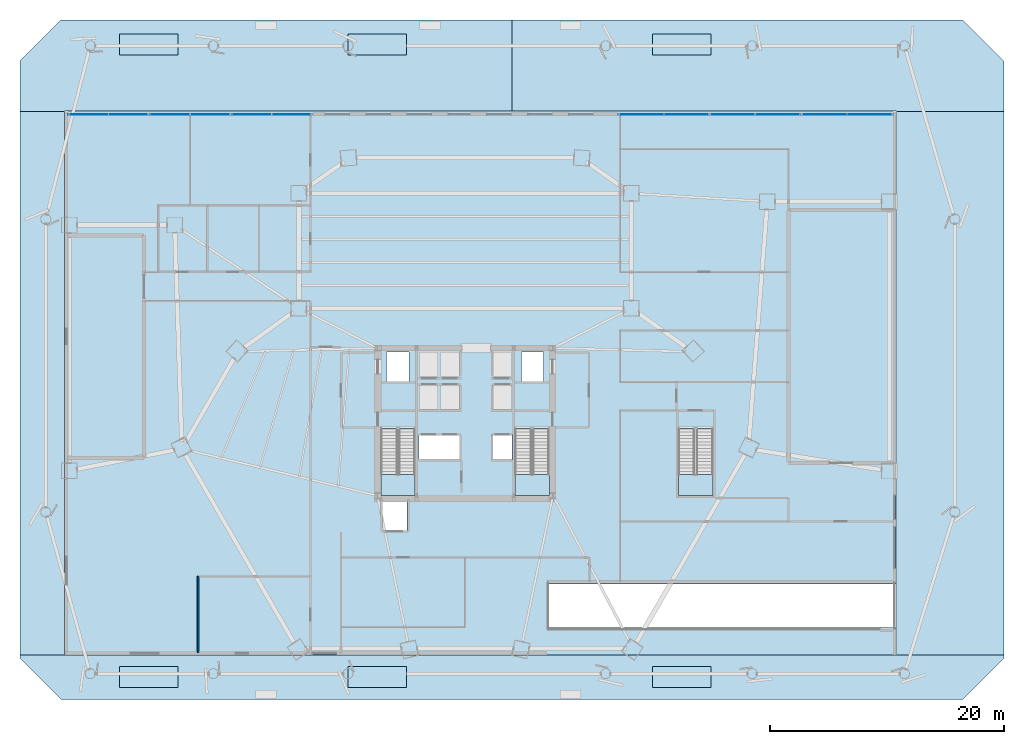
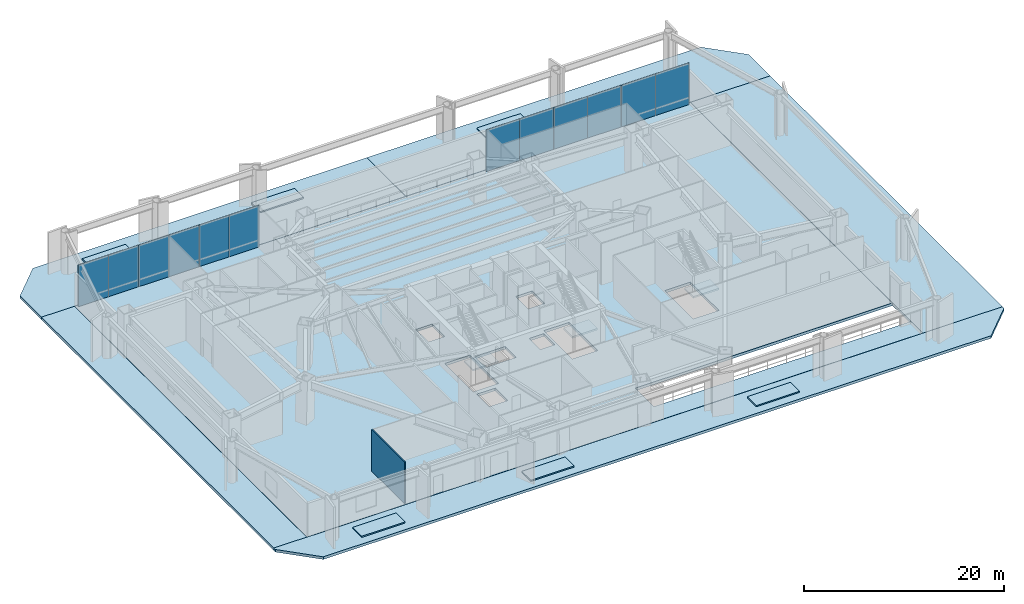
# One storey, part 10 of 19: 15 slabs, 12 plates, 1 wall, 9 elements without a shape of their own.
"""IFC4 building model written with IfcOpenShell, lengths in metres."""

import ifcopenshell
import ifcopenshell.guid

model = None  # the IFC model being written
_history = None  # IfcOwnerHistory: only IFC2X3 demands one
_inside = {}  # id of a spatial element -> (the spatial element, [elements in it])
_under = {}  # id of a project, library or spatial element -> (it, [spatial elements below it])
_declared = {}  # id of a project -> (the project, [libraries it declares])
_typed = {}  # id of a type object -> (the type object, [elements of that type])
_made_of = {}  # id of a material, layer set ... -> (it, [elements and type objects made of it])


def new_model(schema):
    """Start an empty IFC model of exactly this schema.

    Asked for "IFC4X3", IfcOpenShell would pick the latest addendum, in which some entities
    have other attributes; the version numbers below select the first issue.
    IFC2X3 requires an IfcOwnerHistory on every rooted entity: one is made here for all.
    """
    global model, _history
    if schema == "IFC4X3":
        model = ifcopenshell.file(schema_version=(4, 3, 0, 0))
    else:
        model = ifcopenshell.file(schema=schema)
    _inside.clear()
    _under.clear()
    _declared.clear()
    _typed.clear()
    _made_of.clear()
    _history = None
    if model.schema == "IFC2X3":
        org = make("IfcOrganization", Name="unknown")
        user = make(
            "IfcPersonAndOrganization",
            ThePerson=make("IfcPerson", FamilyName="unknown"),
            TheOrganization=org,
        )
        app = make(
            "IfcApplication",
            ApplicationDeveloper=org,
            Version="unknown",
            ApplicationFullName="unknown",
            ApplicationIdentifier="unknown",
        )
        _history = make(
            "IfcOwnerHistory",
            OwningUser=user,
            OwningApplication=app,
            ChangeAction="ADDED",
            CreationDate=0,
        )
    return model


def make(cls, **values):
    """One entity of the class cls with the attributes given. An attribute that is None is left unset."""
    return model.create_entity(
        cls, **{name: value for name, value in values.items() if value is not None}
    )


def rooted(cls, **values):
    """An entity with a GlobalId (a new one), such as an element, a storey or a relation."""
    return make(cls, GlobalId=ifcopenshell.guid.new(), OwnerHistory=_history, **values)


def si_unit(unit_type, name, prefix=None):
    """IfcSIUnit, for example si_unit("LENGTHUNIT", "METRE", prefix="MILLI")."""
    return make("IfcSIUnit", UnitType=unit_type, Prefix=prefix, Name=name)


def assignment(units):
    """IfcUnitAssignment: the units of a project."""
    return None if units is None else make("IfcUnitAssignment", Units=units)


def point(xyz):
    """IfcCartesianPoint."""
    return None if xyz is None else make("IfcCartesianPoint", Coordinates=xyz)


def direction(xyz):
    """IfcDirection."""
    return None if xyz is None else make("IfcDirection", DirectionRatios=xyz)


def frame(location, z_axis=None, x_axis=None):
    """IfcAxis2Placement3D, a coordinate frame: its origin and axes. An axis left out is left unset."""
    return make(
        "IfcAxis2Placement3D",
        Location=point(location),
        Axis=direction(z_axis),
        RefDirection=direction(x_axis),
    )


def frame_2d(location, x_axis=None):
    """IfcAxis2Placement2D, a coordinate frame in the plane: its origin and x axis."""
    return make(
        "IfcAxis2Placement2D", Location=point(location), RefDirection=direction(x_axis)
    )


def origin():
    """The frame at (0, 0, 0) with its axes left unset."""
    return frame((0.0, 0.0, 0.0))


def origin_2d():
    """The frame at (0, 0) in the plane with its x axis left unset."""
    return frame_2d((0.0, 0.0))


def place(relative_to, where):
    """IfcLocalPlacement: puts the frame where relative to a parent placement (None: the world)."""
    return make(
        "IfcLocalPlacement", PlacementRelTo=relative_to, RelativePlacement=where
    )


def context(
    kind, dimensions, precision=None, world=None, true_north=None, identifier=None
):
    """IfcGeometricRepresentationContext, for example the 3D "Model" context."""
    return make(
        "IfcGeometricRepresentationContext",
        ContextIdentifier=identifier,
        ContextType=kind,
        CoordinateSpaceDimension=dimensions,
        Precision=precision,
        WorldCoordinateSystem=world,
        TrueNorth=true_north,
    )


def subcontext(parent, identifier, kind, view, scale=None):
    """IfcGeometricRepresentationSubContext, for example "Body" below "Model"."""
    return make(
        "IfcGeometricRepresentationSubContext",
        ContextIdentifier=identifier,
        ContextType=kind,
        ParentContext=parent,
        TargetScale=scale,
        TargetView=view,
    )


def project(units=None, contexts=None):
    """IfcProject with its units and contexts."""
    return rooted(
        "IfcProject",
        Name="project",
        RepresentationContexts=contexts,
        UnitsInContext=assignment(units),
    )


def spatial(cls, under=None, at=None, **own):
    """A site, building, storey or space (cls), placed at a placement, below another one or the project."""
    s = rooted(cls, ObjectPlacement=at, **own)
    if under is not None:
        _under.setdefault(under.id(), (under, []))[1].append(s)
    return s


def polyline(points):
    """IfcPolyline through the points."""
    return make("IfcPolyline", Points=[point(p) for p in points])


def profile(cls, at=None, kind="AREA", **sizes):
    """A parametric profile (cls). Its sizes go by their IFC names, for example OverallWidth=200.0."""
    return make(cls, ProfileType=kind, Position=at, **sizes)


def rectangle(**sizes):
    """IfcRectangleProfileDef."""
    return profile("IfcRectangleProfileDef", **sizes)


def outline(outer, holes=None, kind="AREA"):
    """IfcArbitraryClosedProfileDef: a profile drawn as a closed curve; with holes, ...WithVoids."""
    if holes is None:
        return make("IfcArbitraryClosedProfileDef", ProfileType=kind, OuterCurve=outer)
    return make(
        "IfcArbitraryProfileDefWithVoids",
        ProfileType=kind,
        OuterCurve=outer,
        InnerCurves=holes,
    )


def extrude(swept, where, along, depth):
    """IfcExtrudedAreaSolid: the profile swept, set in the frame where, extruded along a direction by depth."""
    return make(
        "IfcExtrudedAreaSolid",
        SweptArea=swept,
        Position=where,
        ExtrudedDirection=direction(along),
        Depth=depth,
    )


def shape(context_of_items, identifier, shape_type, items):
    """IfcShapeRepresentation: the items that make up one representation, for example the "Body"."""
    return make(
        "IfcShapeRepresentation",
        ContextOfItems=context_of_items,
        RepresentationIdentifier=identifier,
        RepresentationType=shape_type,
        Items=items,
    )


def source(mapping_origin, context_of_items, identifier, shape_type, items):
    """IfcRepresentationMap: a shape defined once, which mapped items show again and again."""
    return make(
        "IfcRepresentationMap",
        MappingOrigin=mapping_origin,
        MappedRepresentation=shape(context_of_items, identifier, shape_type, items),
    )


def transform(
    local_origin,
    x_axis=None,
    y_axis=None,
    z_axis=None,
    scale=None,
    scale2=None,
    scale3=None,
    uniform=True,
):
    """IfcCartesianTransformationOperator3D, or its non-uniform kind. x_axis, y_axis, z_axis: its Axis1, 2, 3."""
    if uniform:
        return make(
            "IfcCartesianTransformationOperator3D",
            Axis1=direction(x_axis),
            Axis2=direction(y_axis),
            LocalOrigin=point(local_origin),
            Scale=scale,
            Axis3=direction(z_axis),
        )
    return make(
        "IfcCartesianTransformationOperator3DnonUniform",
        Axis1=direction(x_axis),
        Axis2=direction(y_axis),
        LocalOrigin=point(local_origin),
        Scale=scale,
        Axis3=direction(z_axis),
        Scale2=scale2,
        Scale3=scale3,
    )


def mapped(mapping_source, mapping_target):
    """IfcMappedItem: shows the shape of a source again, moved by a transform."""
    return make(
        "IfcMappedItem", MappingSource=mapping_source, MappingTarget=mapping_target
    )


def material(Name=None, Category=None):
    """IfcMaterial."""
    return make("IfcMaterial", Name=Name, Category=Category)


def layer(
    of_material, thickness, ventilated=None, Name=None, Category=None, Priority=None
):
    """IfcMaterialLayer: one layer of a wall or slab, of a material (None: an air gap)."""
    return make(
        "IfcMaterialLayer",
        Material=of_material,
        LayerThickness=thickness,
        IsVentilated=ventilated,
        Name=Name,
        Category=Category,
        Priority=Priority,
    )


def layer_set(layers, Name=None):
    """IfcMaterialLayerSet."""
    return make("IfcMaterialLayerSet", MaterialLayers=layers, LayerSetName=Name)


def made_of(thing, what):
    """Note that an element or type object is made of a material, layer set ...; save() writes the relation."""
    if what is not None:
        _made_of.setdefault(what.id(), (what, []))[1].append(thing)
    return thing


def type_object(cls, material=None, **own):
    """A type object (cls), such as IfcWallType, which elements share."""
    return made_of(rooted(cls, **own), material)


def type_shapes(of_type, sources):
    """Give a type object the sources (RepresentationMaps) that its elements show as mapped items."""
    of_type.RepresentationMaps = sources


def element(
    cls,
    number,
    at=None,
    inside=None,
    cuts=None,
    type_object=None,
    material=None,
    context=None,
    identifier="Body",
    shape_type=None,
    held_by="IfcProductDefinitionShape",
    body=None,
    shapes=None,
    **own,
):
    """One element of the class cls, such as IfcWall. Its Tag is "e" and its number.

    at: its placement. inside: the storey or other place that contains it. cuts: it is an
    opening in that element (IfcRelVoidsElement). A single representation is given by context,
    identifier, shape_type and body (its items); several are given by shapes. held_by: the class
    of the entity that holds the representations. save() writes the other relations.
    """
    e = rooted(cls, Tag="e%d" % number, ObjectPlacement=at, **own)
    if body is not None:
        shapes = [shape(context, identifier, shape_type, body)]
    if shapes is not None:
        e.Representation = make(held_by, Representations=shapes)
    if inside is not None:
        _inside.setdefault(inside.id(), (inside, []))[1].append(e)
    if cuts is not None:
        rooted(
            "IfcRelVoidsElement", RelatingBuildingElement=cuts, RelatedOpeningElement=e
        )
    if type_object is not None:
        _typed.setdefault(type_object.id(), (type_object, []))[1].append(e)
    return made_of(e, material)


def aggregate(whole, parts):
    """IfcRelAggregates: a whole, such as a stair, and the parts it consists of."""
    return rooted("IfcRelAggregates", RelatingObject=whole, RelatedObjects=parts)


def save(model, path):
    """Write the relations noted so far, then the file.

    IfcRelAggregates (storeys below a building ...), IfcRelContainedInSpatialStructure (elements
    in a storey), IfcRelDefinesByType, IfcRelAssociatesMaterial and IfcRelDeclares: one each for
    every whole, place, type object, material and project.
    """
    for whole, parts in _under.values():
        aggregate(whole, parts)
    for where, things in _inside.values():
        rooted(
            "IfcRelContainedInSpatialStructure",
            RelatedElements=things,
            RelatingStructure=where,
        )
    for kind, things in _typed.values():
        rooted("IfcRelDefinesByType", RelatedObjects=things, RelatingType=kind)
    for what, things in _made_of.values():
        rooted("IfcRelAssociatesMaterial", RelatedObjects=things, RelatingMaterial=what)
    for by, libraries in _declared.values():
        rooted("IfcRelDeclares", RelatingContext=by, RelatedDefinitions=libraries)
    model.write(path)


model = new_model("IFC4")

# Units and contexts
model_context = context("Model", 3, precision=1e-05, world=origin(), true_north=direction((0.0, 1.0)))
body_context = subcontext(model_context, "Body", "Model", "MODEL_VIEW")
ifc_project = project(units=[si_unit("LENGTHUNIT", "METRE"), si_unit("AREAUNIT", "SQUARE_METRE"), si_unit("VOLUMEUNIT", "CUBIC_METRE"), si_unit("PLANEANGLEUNIT", "RADIAN"), si_unit("MASSUNIT", "GRAM", prefix="KILO")], contexts=[model_context])

# Site, building, storey
site_placement = place(None, origin())
site = spatial("IfcSite", under=ifc_project, at=site_placement, CompositionType="ELEMENT")
building_placement = place(site_placement, origin())
building = spatial("IfcBuilding", under=site, at=building_placement, Name="Caelisora Broadcast Tower", CompositionType="ELEMENT")
storey_placement = place(building_placement, origin())
storey = spatial("IfcBuildingStorey", under=building, at=storey_placement, Name="L00", CompositionType="ELEMENT", Elevation=0.0)

# Slabs
ifc_material_1 = material(Name="Concrete 32 MPa (AS 3600 N32)", Category="concrete")
ifc_layer_1 = layer(ifc_material_1, 0.14990234375, Name="Concrete 32 MPa (AS 3600 N32)")
ifc_layer_set_1 = layer_set([ifc_layer_1], Name="Concrete 32 MPa (AS 3600 N32)")
slab_type_1 = type_object("IfcSlabType", Name="PN01", PredefinedType="USERDEFINED", material=ifc_layer_set_1)
slab_1_placement = place(storey_placement, origin())
element("IfcSlab", 1, at=slab_1_placement, inside=storey, type_object=slab_type_1, Name="L00 planted forecourt slab PN01", ObjectType="PLANTER", PredefinedType="USERDEFINED", context=body_context, shape_type="SweptSolid", body=[
    extrude(outline(polyline([(8.5, 1.0), (13.5, 1.0), (13.5, 2.800048828125), (8.5, 2.800048828125), (8.5, 1.0)])), origin(), (0.0, 0.0, 1.0), 0.14990234375),
])
slab_2_placement = place(storey_placement, origin())
element("IfcSlab", 2, at=slab_2_placement, inside=storey, type_object=slab_type_1, Name="L00 planted forecourt slab PN01", ObjectType="PLANTER", PredefinedType="USERDEFINED", context=body_context, shape_type="SweptSolid", body=[
    extrude(outline(polyline([(28.0, 1.0), (33.0, 1.0), (33.0, 2.800048828125), (28.0, 2.800048828125), (28.0, 1.0)])), origin(), (0.0, 0.0, 1.0), 0.14990234375),
])
slab_3_placement = place(storey_placement, origin())
element("IfcSlab", 3, at=slab_3_placement, inside=storey, type_object=slab_type_1, Name="L00 planted forecourt slab PN01", ObjectType="PLANTER", PredefinedType="USERDEFINED", context=body_context, shape_type="SweptSolid", body=[
    extrude(outline(polyline([(54.0, 1.0), (59.0, 1.0), (59.0, 2.800048828125), (54.0, 2.800048828125), (54.0, 1.0)])), origin(), (0.0, 0.0, 1.0), 0.14990234375),
])
slab_4_placement = place(storey_placement, origin())
element("IfcSlab", 4, at=slab_4_placement, inside=storey, type_object=slab_type_1, Name="L00 planted forecourt slab PN01", ObjectType="PLANTER", PredefinedType="USERDEFINED", context=body_context, shape_type="SweptSolid", body=[
    extrude(outline(polyline([(8.5, 55.0), (13.5, 55.0), (13.5, 56.800048828125), (8.5, 56.800048828125), (8.5, 55.0)])), origin(), (0.0, 0.0, 1.0), 0.14990234375),
])
slab_5_placement = place(storey_placement, origin())
element("IfcSlab", 5, at=slab_5_placement, inside=storey, type_object=slab_type_1, Name="L00 planted forecourt slab PN01", ObjectType="PLANTER", PredefinedType="USERDEFINED", context=body_context, shape_type="SweptSolid", body=[
    extrude(outline(polyline([(28.0, 55.0), (33.0, 55.0), (33.0, 56.800048828125), (28.0, 56.800048828125), (28.0, 55.0)])), origin(), (0.0, 0.0, 1.0), 0.14990234375),
])
slab_6_placement = place(storey_placement, origin())
element("IfcSlab", 6, at=slab_6_placement, inside=storey, type_object=slab_type_1, Name="L00 planted forecourt slab PN01", ObjectType="PLANTER", PredefinedType="USERDEFINED", context=body_context, shape_type="SweptSolid", body=[
    extrude(outline(polyline([(54.0, 55.0), (59.0, 55.0), (59.0, 56.800048828125), (54.0, 56.800048828125), (54.0, 55.0)])), origin(), (0.0, 0.0, 1.0), 0.14990234375),
])
ifc_material_2 = material(Name="Concrete 40 MPa (AS 3600 N40)", Category="concrete")
ifc_layer_2 = layer(ifc_material_2, 0.320068359375, Name="Concrete 40 MPa (AS 3600 N40)")
ifc_layer_set_2 = layer_set([ifc_layer_2], Name="Concrete 40 MPa (AS 3600 N40)")
slab_type_2 = type_object("IfcSlabType", Name="PV01", PredefinedType="USERDEFINED", material=ifc_layer_set_2)
slab_7_placement = place(storey_placement, frame((0.0, 0.0, -0.320068359375)))
element("IfcSlab", 7, at=slab_7_placement, inside=storey, type_object=slab_type_2, Name="L00 forecourt paving slab PV01", ObjectType="PAVING", PredefinedType="USERDEFINED", context=body_context, shape_type="SweptSolid", body=[
    extrude(outline(polyline([(3.5, 58.0), (42.0, 58.0), (42.0, 50.219970703125), (3.780029296875, 50.219970703125), (3.780029296875, 50.199951171875), (0.0, 50.199951171875), (0.0, 54.5), (3.5, 58.0)])), origin(), (0.0, 0.0, 1.0), 0.320068359375),
])
slab_8_placement = place(storey_placement, frame((0.0, 0.0, -0.320068359375)))
element("IfcSlab", 8, at=slab_8_placement, inside=storey, type_object=slab_type_2, Name="L00 forecourt paving slab PV01", ObjectType="PAVING", PredefinedType="USERDEFINED", context=body_context, shape_type="SweptSolid", body=[
    extrude(outline(polyline([(80.5, 58.0), (84.0, 54.5), (84.0, 50.199951171875), (74.820068359375, 50.199951171875), (74.820068359375, 50.219970703125), (42.02001953125, 50.219970703125), (42.02001953125, 58.0), (80.5, 58.0)])), origin(), (0.0, 0.0, 1.0), 0.320068359375),
])
slab_9_placement = place(storey_placement, frame((0.0, 0.0, -0.320068359375)))
element("IfcSlab", 9, at=slab_9_placement, inside=storey, type_object=slab_type_2, Name="L00 forecourt paving slab PV01", ObjectType="PAVING", PredefinedType="USERDEFINED", context=body_context, shape_type="SweptSolid", body=[
    extrude(outline(polyline([(0.0, 50.199951171875), (3.780029296875, 50.199951171875), (3.780029296875, 3.800048828125), (0.0, 3.800048828125), (0.0, 50.199951171875)])), origin(), (0.0, 0.0, 1.0), 0.320068359375),
])
slab_10_placement = place(storey_placement, frame((0.0, 0.0, -0.320068359375)))
element("IfcSlab", 10, at=slab_10_placement, inside=storey, type_object=slab_type_2, Name="L00 forecourt paving slab PV01", ObjectType="PAVING", PredefinedType="USERDEFINED", context=body_context, shape_type="SweptSolid", body=[
    extrude(outline(polyline([(84.0, 3.800048828125), (74.820068359375, 3.800048828125), (74.820068359375, 6.14990234375), (74.820068359375, 9.85009765625), (74.820068359375, 50.199951171875), (84.0, 50.199951171875), (84.0, 3.800048828125)])), origin(), (0.0, 0.0, 1.0), 0.320068359375),
])
slab_11_placement = place(storey_placement, frame((0.0, 0.0, -0.320068359375)))
element("IfcSlab", 11, at=slab_11_placement, inside=storey, type_object=slab_type_2, Name="L00 forecourt paving slab PV01", ObjectType="PAVING", PredefinedType="USERDEFINED", context=body_context, shape_type="SweptSolid", body=[
    extrude(outline(polyline([(84.0, 3.5), (80.5, 0.0), (3.5, 0.0), (0.0, 3.5), (0.0, 3.800048828125), (3.780029296875, 3.800048828125), (3.780029296875, 3.780029296875), (74.820068359375, 3.780029296875), (74.820068359375, 3.800048828125), (84.0, 3.800048828125), (84.0, 3.5)])), origin(), (0.0, 0.0, 1.0), 0.320068359375),
])
ifc_layer_3 = layer(ifc_material_2, 0.320068359375, Name="Concrete 40 MPa (AS 3600 N40)")
ifc_layer_set_3 = layer_set([ifc_layer_3], Name="Concrete 40 MPa (AS 3600 N40)")
slab_type_3 = type_object("IfcSlabType", Name="SL01", PredefinedType="FLOOR", material=ifc_layer_set_3)
slab_12_placement = place(storey_placement, frame((0.0, 0.0, -0.320068359375)))
element("IfcSlab", 12, at=slab_12_placement, inside=storey, type_object=slab_type_3, Name="L00 suspended floor SL01", PredefinedType="FLOOR", context=body_context, shape_type="SweptSolid", body=[
    extrude(outline(polyline([(3.800048828125, 50.199951171875), (74.800048828125, 50.199951171875), (74.800048828125, 9.85009765625), (45.14990234375, 9.85009765625), (45.14990234375, 6.14990234375), (74.800048828125, 6.14990234375), (74.800048828125, 3.800048828125), (3.800048828125, 3.800048828125), (3.800048828125, 50.199951171875)]), holes=[polyline([(30.820068359375, 17.39990234375), (33.739990234375, 17.39990234375), (33.739990234375, 23.080078125), (30.820068359375, 23.080078125), (30.820068359375, 17.39990234375)]), polyline([(42.260009765625, 17.39990234375), (45.179931640625, 17.39990234375), (45.179931640625, 23.080078125), (42.260009765625, 23.080078125), (42.260009765625, 17.39990234375)]), polyline([(56.199951171875, 17.39990234375), (59.159912109375, 17.39990234375), (59.159912109375, 23.080078125), (56.199951171875, 23.080078125), (56.199951171875, 17.39990234375)]), polyline([(42.800048828125, 27.14990234375), (44.699951171875, 27.14990234375), (44.699951171875, 29.64990234375), (42.800048828125, 29.64990234375), (42.800048828125, 27.14990234375)]), polyline([(40.300048828125, 20.429931640625), (42.0, 20.429931640625), (42.0, 22.6298828125), (40.300048828125, 22.6298828125), (40.300048828125, 20.429931640625)]), polyline([(34.050048828125, 20.429931640625), (37.550048828125, 20.429931640625), (37.550048828125, 22.6298828125), (34.050048828125, 22.6298828125), (34.050048828125, 20.429931640625)]), polyline([(31.300048828125, 27.14990234375), (33.199951171875, 27.14990234375), (33.199951171875, 29.64990234375), (31.300048828125, 29.64990234375), (31.300048828125, 27.14990234375)]), polyline([(30.949951171875, 14.35009765625), (33.050048828125, 14.35009765625), (33.050048828125, 16.85009765625), (30.949951171875, 16.85009765625), (30.949951171875, 14.35009765625)])]), origin(), (0.0, 0.0, 1.0), 0.320068359375),
])

# Stair, slab
stair_type_1 = type_object("IfcStairType", Name="ST-1", PredefinedType="HALF_TURN_STAIR", material=ifc_material_2)
stair_1_placement = place(storey_placement, origin())
stair_1 = element("IfcStair", 13, at=stair_1_placement, inside=storey, type_object=stair_type_1, Name="L00 West Fire-Isolated Tower Stair", PredefinedType="HALF_TURN_STAIR")
ifc_layer_4 = layer(ifc_material_2, 0.199951171875, Name="Concrete 40 MPa (AS 3600 N40)")
ifc_layer_set_4 = layer_set([ifc_layer_4], Name="Concrete 40 MPa (AS 3600 N40)")
slab_type_4 = type_object("IfcSlabType", Name="STL-1", PredefinedType="LANDING", material=ifc_layer_set_4)
slab_13_placement = place(storey_placement, frame((0.0, 0.0, 2.5)))
slab_13 = element("IfcSlab", 14, at=slab_13_placement, type_object=slab_type_4, Name="ST-1 landing 1", PredefinedType="LANDING", context=body_context, shape_type="SweptSolid", body=[
    extrude(outline(polyline([(30.820068359375, 19.179931640625), (30.820068359375, 17.39990234375), (33.739990234375, 17.39990234375), (33.739990234375, 19.179931640625), (30.820068359375, 19.179931640625)])), origin(), (0.0, 0.0, 1.0), 0.199951171875),
])
aggregate(stair_1, [slab_13])

stair_type_2 = type_object("IfcStairType", Name="ST-2", PredefinedType="HALF_TURN_STAIR", material=ifc_material_2)
stair_2_placement = place(storey_placement, origin())
stair_2 = element("IfcStair", 15, at=stair_2_placement, inside=storey, type_object=stair_type_2, Name="L00 East Fire-Isolated Tower Stair", PredefinedType="HALF_TURN_STAIR")
slab_14_placement = place(storey_placement, frame((0.0, 0.0, 2.5)))
slab_14 = element("IfcSlab", 16, at=slab_14_placement, type_object=slab_type_4, Name="ST-2 landing 1", PredefinedType="LANDING", context=body_context, shape_type="SweptSolid", body=[
    extrude(outline(polyline([(42.260009765625, 19.179931640625), (42.260009765625, 17.39990234375), (45.179931640625, 17.39990234375), (45.179931640625, 19.179931640625), (42.260009765625, 19.179931640625)])), origin(), (0.0, 0.0, 1.0), 0.199951171875),
])
aggregate(stair_2, [slab_14])

stair_type_3 = type_object("IfcStairType", Name="ST-3", PredefinedType="HALF_TURN_STAIR", material=ifc_material_2)
stair_3_placement = place(storey_placement, origin())
stair_3 = element("IfcStair", 17, at=stair_3_placement, inside=storey, type_object=stair_type_3, Name="L00 Podium Broadcast Studio Exit Stair", PredefinedType="HALF_TURN_STAIR")
slab_15_placement = place(storey_placement, frame((0.0, 0.0, 2.5)))
slab_15 = element("IfcSlab", 18, at=slab_15_placement, type_object=slab_type_4, Name="ST-3 landing 1", PredefinedType="LANDING", context=body_context, shape_type="SweptSolid", body=[
    extrude(outline(polyline([(56.199951171875, 19.179931640625), (56.199951171875, 17.39990234375), (59.159912109375, 17.39990234375), (59.159912109375, 19.179931640625), (56.199951171875, 19.179931640625)])), origin(), (0.0, 0.0, 1.0), 0.199951171875),
])
aggregate(stair_3, [slab_15])

# Curtain wall, plates
ifc_material_3 = material(Name="Unitised Aluminium and Low-E Glass Curtain Wall", Category="glass")
curtain_wall_type = type_object("IfcCurtainWallType", Name="CW-COL", PredefinedType="NOTDEFINED", material=ifc_material_3)
curtain_wall_1_placement = place(storey_placement, origin())
curtain_wall_1 = element("IfcCurtainWall", 19, at=curtain_wall_1_placement, inside=storey, type_object=curtain_wall_type, Name="L00 curtain wall CW-COL", PredefinedType="NOTDEFINED")
ifc_material_4 = material(Name="Double Glazed Low-E Argon IGU", Category="glass")
ifc_layer_5 = layer(ifc_material_4, 0.0419921875, Name="Double Glazed Low-E Argon IGU")
ifc_layer_set_5 = layer_set([ifc_layer_5], Name="Double Glazed Low-E Argon IGU")
plate_type = type_object("IfcPlateType", Name="CWP-08", PredefinedType="CURTAIN_PANEL", material=ifc_layer_set_5)
shared_shape_1 = source(origin(), body_context, "Body", "SweptSolid", [
    extrude(rectangle(XDim=3.449951171875, YDim=0.0419921875, at=origin_2d()), origin(), (0.0, 0.0, 1.0), 5.080078125),
])
plate_1_placement = place(storey_placement, frame((5.824951171875, 49.949951171875, 0.0), z_axis=(0.0, 0.0, 1.0), x_axis=(1.0, 0.0, 0.0)))
plate_1 = element("IfcPlate", 20, at=plate_1_placement, type_object=plate_type, Name="L00-CW-COL-1 glazed panel #1", PredefinedType="CURTAIN_PANEL", context=body_context, shape_type="MappedRepresentation", body=[
    mapped(shared_shape_1, transform((0.0, 0.0, 0.0), scale=1.0)),
])
plate_2_placement = place(storey_placement, frame((9.27490234375, 49.949951171875, 0.0), z_axis=(0.0, 0.0, 1.0), x_axis=(1.0, 0.0, 0.0)))
plate_2 = element("IfcPlate", 21, at=plate_2_placement, type_object=plate_type, Name="L00-CW-COL-1 glazed panel #2", PredefinedType="CURTAIN_PANEL", context=body_context, shape_type="MappedRepresentation", body=[
    mapped(shared_shape_1, transform((0.0, 0.0, 0.0), scale=1.0)),
])
aggregate(curtain_wall_1, [plate_1, plate_2])

curtain_wall_2_placement = place(storey_placement, origin())
curtain_wall_2 = element("IfcCurtainWall", 22, at=curtain_wall_2_placement, inside=storey, type_object=curtain_wall_type, Name="L00 curtain wall CW-COL", PredefinedType="NOTDEFINED")
shared_shape_2 = source(origin(), body_context, "Body", "SweptSolid", [
    extrude(rectangle(XDim=3.47509765625, YDim=0.0419921875, at=origin_2d()), origin(), (0.0, 0.0, 1.0), 5.080078125),
])
plate_3_placement = place(storey_placement, frame((12.78759765625, 49.949951171875, 0.0), z_axis=(0.0, 0.0, 1.0), x_axis=(1.0, 0.0, 0.0)))
plate_3 = element("IfcPlate", 23, at=plate_3_placement, type_object=plate_type, Name="L00-CW-COL-2 glazed panel #1", PredefinedType="CURTAIN_PANEL", context=body_context, shape_type="MappedRepresentation", body=[
    mapped(shared_shape_2, transform((0.0, 0.0, 0.0), scale=1.0)),
])
plate_4_placement = place(storey_placement, frame((16.262451171875, 49.949951171875, 0.0), z_axis=(0.0, 0.0, 1.0), x_axis=(1.0, 0.0, 0.0)))
plate_4 = element("IfcPlate", 24, at=plate_4_placement, type_object=plate_type, Name="L00-CW-COL-2 glazed panel #2", PredefinedType="CURTAIN_PANEL", context=body_context, shape_type="MappedRepresentation", body=[
    mapped(shared_shape_2, transform((0.0, 0.0, 0.0), scale=1.0)),
])
aggregate(curtain_wall_2, [plate_3, plate_4])

curtain_wall_3_placement = place(storey_placement, origin())
curtain_wall_3 = element("IfcCurtainWall", 25, at=curtain_wall_3_placement, inside=storey, type_object=curtain_wall_type, Name="L00 curtain wall CW-COL", PredefinedType="NOTDEFINED")
shared_shape_3 = source(origin(), body_context, "Body", "SweptSolid", [
    extrude(rectangle(XDim=3.425048828125, YDim=0.0419921875, at=origin_2d()), origin(), (0.0, 0.0, 1.0), 5.080078125),
])
plate_5_placement = place(storey_placement, frame((19.762451171875, 49.949951171875, 0.0), z_axis=(0.0, 0.0, 1.0), x_axis=(1.0, 0.0, 0.0)))
plate_5 = element("IfcPlate", 26, at=plate_5_placement, type_object=plate_type, Name="L00-CW-COL-3 glazed panel #1", PredefinedType="CURTAIN_PANEL", context=body_context, shape_type="MappedRepresentation", body=[
    mapped(shared_shape_3, transform((0.0, 0.0, 0.0), scale=1.0)),
])
plate_6_placement = place(storey_placement, frame((23.1875, 49.949951171875, 0.0), z_axis=(0.0, 0.0, 1.0), x_axis=(1.0, 0.0, 0.0)))
plate_6 = element("IfcPlate", 27, at=plate_6_placement, type_object=plate_type, Name="L00-CW-COL-3 glazed panel #2", PredefinedType="CURTAIN_PANEL", context=body_context, shape_type="MappedRepresentation", body=[
    mapped(shared_shape_3, transform((0.0, 0.0, 0.0), scale=1.0)),
])
aggregate(curtain_wall_3, [plate_5, plate_6])

curtain_wall_4_placement = place(storey_placement, origin())
curtain_wall_4 = element("IfcCurtainWall", 28, at=curtain_wall_4_placement, inside=storey, type_object=curtain_wall_type, Name="L00 curtain wall CW-COL", PredefinedType="NOTDEFINED")
shared_shape_4 = source(origin(), body_context, "Body", "SweptSolid", [
    extrude(rectangle(XDim=3.875, YDim=0.0419921875, at=origin_2d()), origin(), (0.0, 0.0, 1.0), 5.080078125),
])
plate_7_placement = place(storey_placement, frame((53.03759765625, 49.949951171875, 0.0), z_axis=(0.0, 0.0, 1.0), x_axis=(1.0, 0.0, 0.0)))
plate_7 = element("IfcPlate", 29, at=plate_7_placement, type_object=plate_type, Name="L00-CW-COL-4 glazed panel #1", PredefinedType="CURTAIN_PANEL", context=body_context, shape_type="MappedRepresentation", body=[
    mapped(shared_shape_4, transform((0.0, 0.0, 0.0), scale=1.0)),
])
plate_8_placement = place(storey_placement, frame((56.91259765625, 49.949951171875, 0.0), z_axis=(0.0, 0.0, 1.0), x_axis=(1.0, 0.0, 0.0)))
plate_8 = element("IfcPlate", 30, at=plate_8_placement, type_object=plate_type, Name="L00-CW-COL-4 glazed panel #2", PredefinedType="CURTAIN_PANEL", context=body_context, shape_type="MappedRepresentation", body=[
    mapped(shared_shape_4, transform((0.0, 0.0, 0.0), scale=1.0)),
])
aggregate(curtain_wall_4, [plate_7, plate_8])

curtain_wall_5_placement = place(storey_placement, origin())
curtain_wall_5 = element("IfcCurtainWall", 31, at=curtain_wall_5_placement, inside=storey, type_object=curtain_wall_type, Name="L00 curtain wall CW-COL", PredefinedType="NOTDEFINED")
plate_9_placement = place(storey_placement, frame((60.83740234375, 49.949951171875, 0.0), z_axis=(0.0, 0.0, 1.0), x_axis=(1.0, 0.0, 0.0)))
plate_9 = element("IfcPlate", 32, at=plate_9_placement, type_object=plate_type, Name="L00-CW-COL-5 glazed panel #1", PredefinedType="CURTAIN_PANEL", context=body_context, shape_type="MappedRepresentation", body=[
    mapped(shared_shape_4, transform((0.0, 0.0, 0.0), scale=1.0)),
])
plate_10_placement = place(storey_placement, frame((64.71240234375, 49.949951171875, 0.0), z_axis=(0.0, 0.0, 1.0), x_axis=(1.0, 0.0, 0.0)))
plate_10 = element("IfcPlate", 33, at=plate_10_placement, type_object=plate_type, Name="L00-CW-COL-5 glazed panel #2", PredefinedType="CURTAIN_PANEL", context=body_context, shape_type="MappedRepresentation", body=[
    mapped(shared_shape_4, transform((0.0, 0.0, 0.0), scale=1.0)),
])
aggregate(curtain_wall_5, [plate_9, plate_10])

curtain_wall_6_placement = place(storey_placement, origin())
curtain_wall_6 = element("IfcCurtainWall", 34, at=curtain_wall_6_placement, inside=storey, type_object=curtain_wall_type, Name="L00 curtain wall CW-COL", PredefinedType="NOTDEFINED")
shared_shape_5 = source(origin(), body_context, "Body", "SweptSolid", [
    extrude(rectangle(XDim=3.89990234375, YDim=0.0419921875, at=origin_2d()), origin(), (0.0, 0.0, 1.0), 5.080078125),
])
type_shapes(plate_type, [shared_shape_1, shared_shape_2, shared_shape_3, shared_shape_4, shared_shape_5])
plate_11_placement = place(storey_placement, frame((68.64990234375, 49.949951171875, 0.0), z_axis=(0.0, 0.0, 1.0), x_axis=(1.0, 0.0, 0.0)))
plate_11 = element("IfcPlate", 35, at=plate_11_placement, type_object=plate_type, Name="L00-CW-COL-6 glazed panel #1", PredefinedType="CURTAIN_PANEL", context=body_context, shape_type="MappedRepresentation", body=[
    mapped(shared_shape_5, transform((0.0, 0.0, 0.0), scale=1.0)),
])
plate_12_placement = place(storey_placement, frame((72.550048828125, 49.949951171875, 0.0), z_axis=(0.0, 0.0, 1.0), x_axis=(1.0, 0.0, 0.0)))
plate_12 = element("IfcPlate", 36, at=plate_12_placement, type_object=plate_type, Name="L00-CW-COL-6 glazed panel #2", PredefinedType="CURTAIN_PANEL", context=body_context, shape_type="MappedRepresentation", body=[
    mapped(shared_shape_5, transform((0.0, 0.0, 0.0), scale=1.0)),
])
aggregate(curtain_wall_6, [plate_11, plate_12])

# Wall
ifc_material_5 = material(Name="Acoustic Steel-Stud Plasterboard Partition", Category="gypsum")
ifc_layer_6 = layer(ifc_material_5, 0.1298828125, Name="Acoustic Steel-Stud Plasterboard Partition")
ifc_layer_set_6 = layer_set([ifc_layer_6], Name="Acoustic Steel-Stud Plasterboard Partition")
wall_type = type_object("IfcWallType", Name="PW3", PredefinedType="PARTITIONING", material=ifc_layer_set_6)
wall_placement = place(storey_placement, frame((15.199951171875, 3.97998046875, 0.0), z_axis=(0.0, 0.0, 1.0), x_axis=(0.0, 1.0, 0.0)))
element("IfcWall", 37, at=wall_placement, inside=storey, type_object=wall_type, Name="L00 internal partition PW3", PredefinedType="PARTITIONING", context=body_context, shape_type="SweptSolid", body=[
    extrude(rectangle(XDim=6.51513671875, YDim=0.1298828125, at=frame_2d((3.257568359375, 0.0))), origin(), (0.0, 0.0, 1.0), 5.080078125),
])

save(model, "model.ifc")
